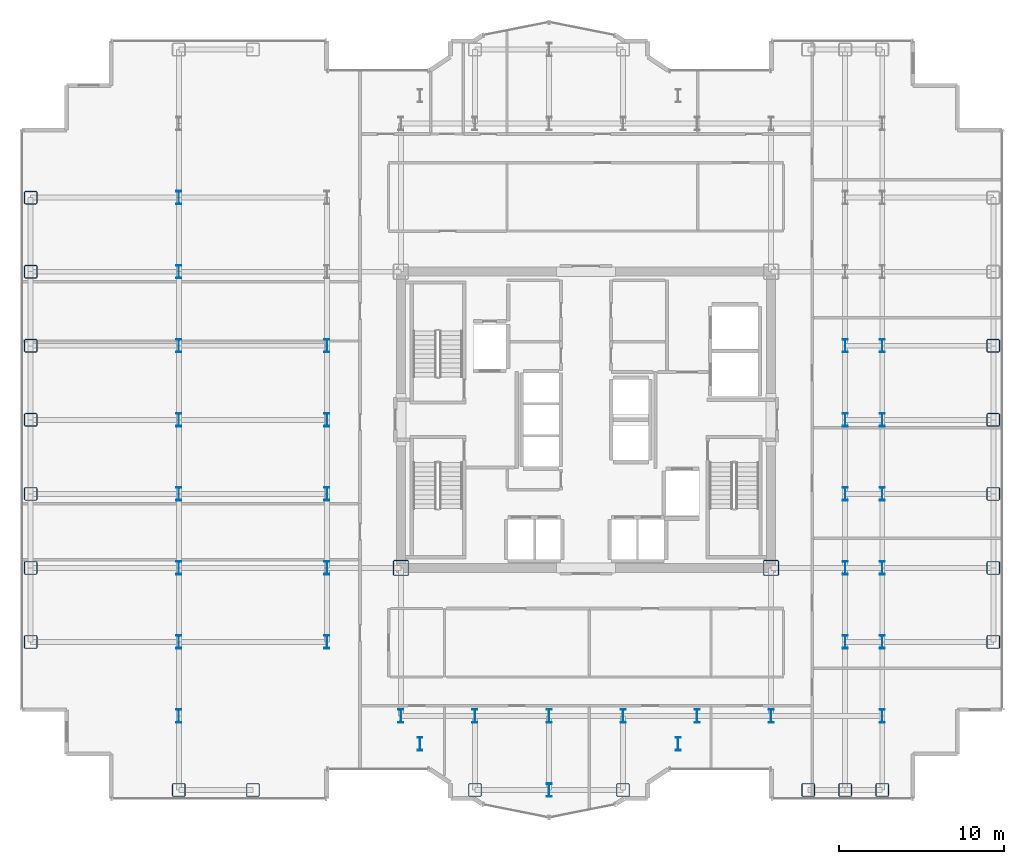
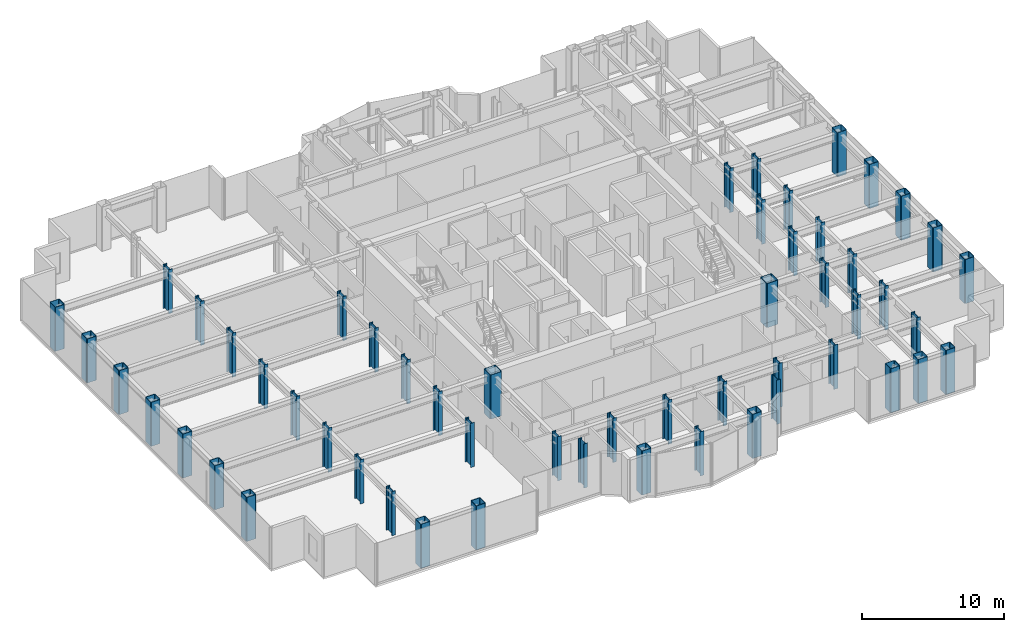
# One storey, part 1 of 23: 54 columns.
"""IFC4 building model written with IfcOpenShell, lengths in metres."""

from ifc_helpers import new_model, si_unit, direction, frame, origin, origin_2d, place, context, subcontext, project, spatial, hollow_rectangle, i_section, extrude, source, transform, mapped, material, material_profile, profile_set, type_object, element, save


model = new_model("IFC4")

# Units and contexts
model_context = context("Model", 3, precision=1e-05, world=origin(), true_north=direction((0.0, 1.0)))
body_context = subcontext(model_context, "Body", "Model", "MODEL_VIEW")
ifc_project = project(units=[si_unit("LENGTHUNIT", "METRE"), si_unit("AREAUNIT", "SQUARE_METRE"), si_unit("VOLUMEUNIT", "CUBIC_METRE"), si_unit("PLANEANGLEUNIT", "RADIAN"), si_unit("MASSUNIT", "GRAM", prefix="KILO")], contexts=[model_context])

# Site, building, storey
site_placement = place(None, origin())
site = spatial("IfcSite", under=ifc_project, at=site_placement, CompositionType="ELEMENT")
building_placement = place(site_placement, origin())
building = spatial("IfcBuilding", under=site, at=building_placement, Name="Nefas-Gora Pilgrimage Tower", CompositionType="ELEMENT")
storey_placement = place(building_placement, frame((0.0, 0.0, 167.800048828125)))
storey = spatial("IfcBuildingStorey", under=building, at=storey_placement, Name="L41", CompositionType="ELEMENT", Elevation=167.800048828125)

# Columns
ifc_material = material(Name="Steel S460", Category="steel")
ifc_material_profile_1 = material_profile(ifc_material, hollow_rectangle(XDim=0.949951171875, YDim=0.949951171875, WallThickness=0.044921875, InnerFilletRadius=0.044921875, OuterFilletRadius=0.090087890625, at=origin_2d()), Name="BOX 950x950x45")
ifc_profile_set_1 = profile_set([ifc_material_profile_1], Name="Steel S460")
column_type_1 = type_object("IfcColumnType", Name="COL-CORE-950", PredefinedType="COLUMN", material=ifc_profile_set_1)
shared_shape_1 = source(origin(), body_context, "Body", "SweptSolid", [
    extrude(hollow_rectangle(XDim=0.949951171875, YDim=0.949951171875, WallThickness=0.044921875, InnerFilletRadius=0.044921875, OuterFilletRadius=0.090087890625, at=origin_2d()), origin(), (0.0, 0.0, 1.0), 3.800048828125),
])
for number, where, z_axis, x_axis, name in (
    (1, (-11.25, -9.0, 0.0), (0.0, 0.0, 1.0), (1.0, 0.0, 0.0), "L41 Tower Column CC-Z1.29"),
    (2, (11.25, -9.0, 0.0), (0.0, 0.0, 1.0), (1.0, 0.0, 0.0), "L41 Tower Column CC-Z1.51"),
):
    element("IfcColumn", number, at=place(storey_placement, frame(where, z_axis=z_axis, x_axis=x_axis)), inside=storey, type_object=column_type_1, Name=name, PredefinedType="COLUMN", context=body_context, shape_type="MappedRepresentation", body=[
        mapped(shared_shape_1, transform((0.0, 0.0, 0.0), x_axis=(1.0, 0.0, 0.0), y_axis=(0.0, 1.0, 0.0), z_axis=(0.0, 0.0, 1.0), scale=1.0)),
    ])
ifc_material_profile_2 = material_profile(ifc_material, hollow_rectangle(XDim=0.800048828125, YDim=0.800048828125, WallThickness=0.0400390625, InnerFilletRadius=0.0400390625, OuterFilletRadius=0.080078125, at=origin_2d()), Name="BOX 800x800x40")
ifc_profile_set_2 = profile_set([ifc_material_profile_2], Name="Steel S460")
column_type_2 = type_object("IfcColumnType", Name="COL-TUBE-800", PredefinedType="COLUMN", material=ifc_profile_set_2)
shared_shape_2 = source(origin(), body_context, "Body", "SweptSolid", [
    extrude(hollow_rectangle(XDim=0.800048828125, YDim=0.800048828125, WallThickness=0.0400390625, InnerFilletRadius=0.0400390625, OuterFilletRadius=0.080078125, at=origin_2d()), origin(), (0.0, 0.0, 1.0), 3.800048828125),
])
for number, where, z_axis, x_axis, name in (
    (3, (-33.75, -13.5, 0.0), (0.0, 0.0, 1.0), (1.0, 0.0, 0.0), "L41 Tower Column C-Z2.1"),
    (4, (-33.75, -9.0, 0.0), (0.0, 0.0, 1.0), (1.0, 0.0, 0.0), "L41 Tower Column C-Z2.2"),
    (5, (-33.75, -4.5, 0.0), (0.0, 0.0, 1.0), (1.0, 0.0, 0.0), "L41 Tower Column C-Z2.3"),
    (6, (-33.75, 0.0, 0.0), (0.0, 0.0, 1.0), (1.0, 0.0, 0.0), "L41 Tower Column C-Z2.4"),
    (7, (-33.75, 4.5, 0.0), (0.0, 0.0, 1.0), (1.0, 0.0, 0.0), "L41 Tower Column C-Z2.5"),
    (8, (-33.75, 9.0, 0.0), (0.0, 0.0, 1.0), (1.0, 0.0, 0.0), "L41 Tower Column C-Z2.6"),
    (9, (-33.75, 13.5, 0.0), (0.0, 0.0, 1.0), (1.0, 0.0, 0.0), "L41 Tower Column C-Z2.7"),
    (10, (-24.75, -22.5, 0.0), (0.0, 0.0, 1.0), (1.0, 0.0, 0.0), "L41 Tower Column C-Z2.8"),
    (11, (-20.25, -22.5, 0.0), (0.0, 0.0, 1.0), (1.0, 0.0, 0.0), "L41 Tower Column C-Z2.19"),
    (12, (-6.75, -22.5, 0.0), (0.0, 0.0, 1.0), (1.0, 0.0, 0.0), "L41 Tower Column C-Z2.34"),
    (13, (2.25, -22.5, 0.0), (0.0, 0.0, 1.0), (1.0, 0.0, 0.0), "L41 Tower Column C-Z2.42"),
    (14, (13.5, -22.5, 0.0), (0.0, 0.0, 1.0), (1.0, 0.0, 0.0), "L41 Tower Column C-Z2.54"),
    (15, (15.75, -22.5, 0.0), (0.0, 0.0, 1.0), (1.0, 0.0, 0.0), "L41 Tower Column C-Z2.56"),
    (16, (18.0, -22.5, 0.0), (0.0, 0.0, 1.0), (1.0, 0.0, 0.0), "L41 Tower Column C-Z2.65"),
    (17, (24.75, -13.5, 0.0), (0.0, 0.0, 1.0), (1.0, 0.0, 0.0), "L41 Tower Column C-Z2.76"),
    (18, (24.75, -9.0, 0.0), (0.0, 0.0, 1.0), (1.0, 0.0, 0.0), "L41 Tower Column C-Z2.77"),
    (19, (24.75, -4.5, 0.0), (0.0, 0.0, 1.0), (1.0, 0.0, 0.0), "L41 Tower Column C-Z2.78"),
    (20, (24.75, 0.0, 0.0), (0.0, 0.0, 1.0), (1.0, 0.0, 0.0), "L41 Tower Column C-Z2.79"),
    (21, (24.75, 4.5, 0.0), (0.0, 0.0, 1.0), (1.0, 0.0, 0.0), "L41 Tower Column C-Z2.80"),
):
    element("IfcColumn", number, at=place(storey_placement, frame(where, z_axis=z_axis, x_axis=x_axis)), inside=storey, type_object=column_type_2, Name=name, PredefinedType="COLUMN", context=body_context, shape_type="MappedRepresentation", body=[
        mapped(shared_shape_2, transform((0.0, 0.0, 0.0), x_axis=(1.0, 0.0, 0.0), y_axis=(0.0, 1.0, 0.0), z_axis=(0.0, 0.0, 1.0), scale=1.0)),
    ])
ifc_material_profile_3 = material_profile(ifc_material, i_section(OverallWidth=0.302978515625, OverallDepth=0.81396484375, WebThickness=0.02099609375, FlangeThickness=0.0400390625, FilletRadius=0.030029296875, at=origin_2d()), Name="HEM 800")
ifc_profile_set_3 = profile_set([ifc_material_profile_3], Name="Steel S460")
column_type_3 = type_object("IfcColumnType", Name="COL-WEB-HEM800", PredefinedType="COLUMN", material=ifc_profile_set_3)
shared_shape_3 = source(origin(), body_context, "Body", "SweptSolid", [
    extrude(i_section(OverallWidth=0.302978515625, OverallDepth=0.81396484375, WebThickness=0.02099609375, FlangeThickness=0.0400390625, FilletRadius=0.030029296875, at=origin_2d()), origin(), (0.0, 0.0, 1.0), 3.800048828125),
])
for number, where, z_axis, x_axis, name in (
    (22, (-24.75, -18.0, 0.0), (0.0, 0.0, 1.0), (1.0, 0.0, 0.0), "L41 Tower Column CW-02.9"),
    (23, (-24.75, -13.5, 0.0), (0.0, 0.0, 1.0), (1.0, 0.0, 0.0), "L41 Tower Column CW-02.10"),
    (24, (-24.75, -9.0, 0.0), (0.0, 0.0, 1.0), (1.0, 0.0, 0.0), "L41 Tower Column CW-02.11"),
    (25, (-24.75, -4.5, 0.0), (0.0, 0.0, 1.0), (1.0, 0.0, 0.0), "L41 Tower Column CW-02.12"),
    (26, (-24.75, 0.0, 0.0), (0.0, 0.0, 1.0), (1.0, 0.0, 0.0), "L41 Tower Column CW-02.13"),
    (27, (-24.75, 4.5, 0.0), (0.0, 0.0, 1.0), (1.0, 0.0, 0.0), "L41 Tower Column CW-02.14"),
    (28, (-24.75, 9.0, 0.0), (0.0, 0.0, 1.0), (1.0, 0.0, 0.0), "L41 Tower Column CW-02.15"),
    (29, (-24.75, 13.5, 0.0), (0.0, 0.0, 1.0), (1.0, 0.0, 0.0), "L41 Tower Column CW-02.16"),
    (30, (-15.75, -13.5, 0.0), (0.0, 0.0, 1.0), (1.0, 0.0, 0.0), "L41 Tower Column CW-02.21"),
    (31, (-15.75, -9.0, 0.0), (0.0, 0.0, 1.0), (1.0, 0.0, 0.0), "L41 Tower Column CW-02.22"),
    (32, (-15.75, -4.5, 0.0), (0.0, 0.0, 1.0), (1.0, 0.0, 0.0), "L41 Tower Column CW-02.23"),
    (33, (-15.75, 0.0, 0.0), (0.0, 0.0, 1.0), (1.0, 0.0, 0.0), "L41 Tower Column CW-02.24"),
    (34, (-15.75, 4.5, 0.0), (0.0, 0.0, 1.0), (1.0, 0.0, 0.0), "L41 Tower Column CW-02.25"),
    (35, (-11.25, -18.0, 0.0), (0.0, 0.0, 1.0), (1.0, 0.0, 0.0), "L41 Tower Column CW-02.28"),
    (36, (-10.091064453125, -19.696044921875, 0.0), (0.0, 0.0, 1.0), (1.0, 0.0, 0.0), "L41 Tower Column CW-02.32"),
    (37, (-6.75, -18.0, 0.0), (0.0, 0.0, 1.0), (1.0, 0.0, 0.0), "L41 Tower Column CW-02.35"),
    (38, (-2.25, -22.5, 0.0), (0.0, 0.0, 1.0), (1.0, 0.0, 0.0), "L41 Tower Column CW-02.38"),
    (39, (-2.25, -18.0, 0.0), (0.0, 0.0, 1.0), (1.0, 0.0, 0.0), "L41 Tower Column CW-02.39"),
    (40, (2.25, -18.0, 0.0), (0.0, 0.0, 1.0), (1.0, 0.0, 0.0), "L41 Tower Column CW-02.43"),
    (41, (5.591064453125, -19.696044921875, 0.0), (0.0, 0.0, 1.0), (1.0, 0.0, 0.0), "L41 Tower Column CW-02.46"),
    (42, (6.75, -18.0, 0.0), (0.0, 0.0, 1.0), (1.0, 0.0, 0.0), "L41 Tower Column CW-02.48"),
    (43, (11.25, -18.0, 0.0), (0.0, 0.0, 1.0), (1.0, 0.0, 0.0), "L41 Tower Column CW-02.50"),
    (44, (15.75, -13.5, 0.0), (0.0, 0.0, 1.0), (1.0, 0.0, 0.0), "L41 Tower Column CW-02.57"),
    (45, (15.75, -9.0, 0.0), (0.0, 0.0, 1.0), (1.0, 0.0, 0.0), "L41 Tower Column CW-02.58"),
    (46, (15.75, -4.5, 0.0), (0.0, 0.0, 1.0), (1.0, 0.0, 0.0), "L41 Tower Column CW-02.59"),
    (47, (15.75, 0.0, 0.0), (0.0, 0.0, 1.0), (1.0, 0.0, 0.0), "L41 Tower Column CW-02.60"),
    (48, (15.75, 4.5, 0.0), (0.0, 0.0, 1.0), (1.0, 0.0, 0.0), "L41 Tower Column CW-02.61"),
    (49, (18.0, -18.0, 0.0), (0.0, 0.0, 1.0), (1.0, 0.0, 0.0), "L41 Tower Column CW-02.66"),
    (50, (18.0, -13.5, 0.0), (0.0, 0.0, 1.0), (1.0, 0.0, 0.0), "L41 Tower Column CW-02.67"),
    (51, (18.0, -9.0, 0.0), (0.0, 0.0, 1.0), (1.0, 0.0, 0.0), "L41 Tower Column CW-02.68"),
    (52, (18.0, -4.5, 0.0), (0.0, 0.0, 1.0), (1.0, 0.0, 0.0), "L41 Tower Column CW-02.69"),
    (53, (18.0, 0.0, 0.0), (0.0, 0.0, 1.0), (1.0, 0.0, 0.0), "L41 Tower Column CW-02.70"),
    (54, (18.0, 4.5, 0.0), (0.0, 0.0, 1.0), (1.0, 0.0, 0.0), "L41 Tower Column CW-02.71"),
):
    element("IfcColumn", number, at=place(storey_placement, frame(where, z_axis=z_axis, x_axis=x_axis)), inside=storey, type_object=column_type_3, Name=name, PredefinedType="COLUMN", context=body_context, shape_type="MappedRepresentation", body=[
        mapped(shared_shape_3, transform((0.0, 0.0, 0.0), x_axis=(1.0, 0.0, 0.0), y_axis=(0.0, 1.0, 0.0), z_axis=(0.0, 0.0, 1.0), scale=1.0)),
    ])

save(model, "model.ifc")
